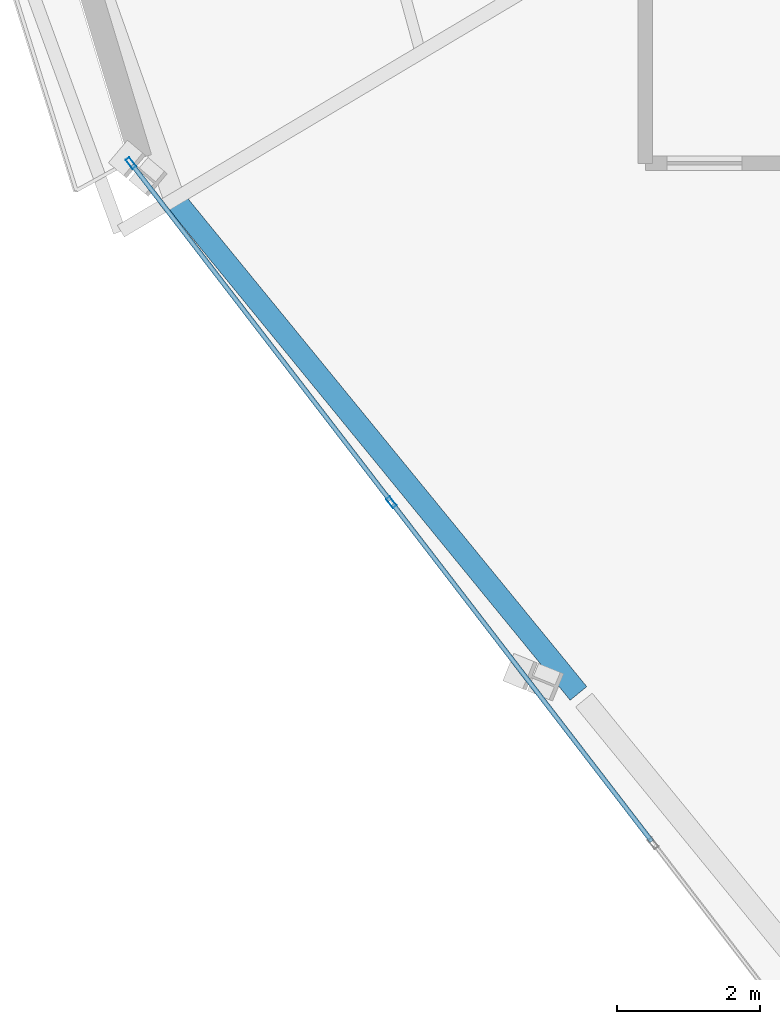
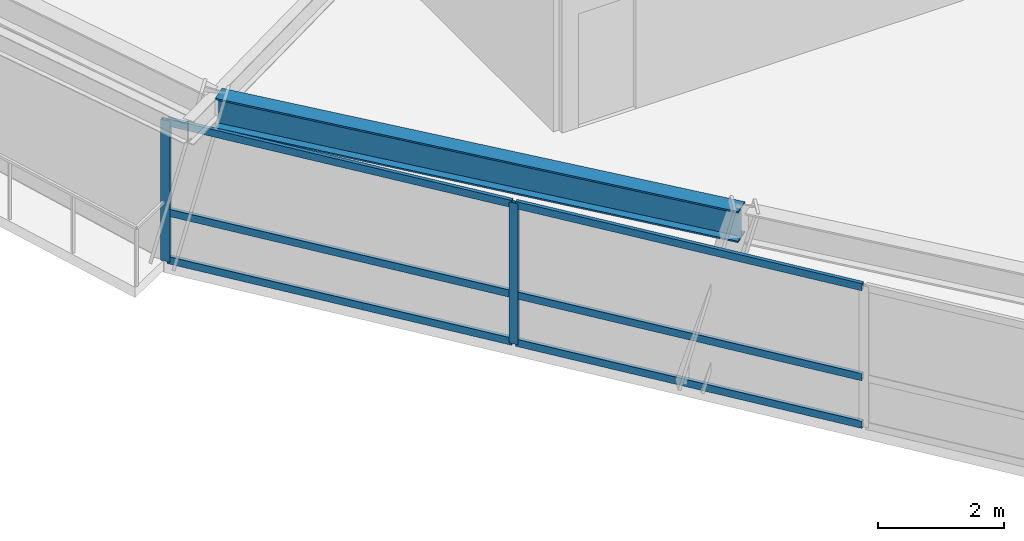
# One storey, part 3 of 15: 8 members, 1 beam, 1 element without a shape of its own.
"""IFC4 building model written with IfcOpenShell, lengths in metres."""

from ifc_helpers import new_model, si_unit, direction, frame, origin, origin_2d, place, context, subcontext, project, spatial, hollow_rectangle, i_section, extrude, source, transform, mapped, material, material_profile, profile_set, type_object, element, aggregate, save


model = new_model("IFC4")

# Units and contexts
model_context = context("Model", 3, precision=1e-05, world=origin(), true_north=direction((0.0, 1.0)))
body_context = subcontext(model_context, "Body", "Model", "MODEL_VIEW")
ifc_project = project(units=[si_unit("LENGTHUNIT", "METRE"), si_unit("AREAUNIT", "SQUARE_METRE"), si_unit("VOLUMEUNIT", "CUBIC_METRE"), si_unit("PLANEANGLEUNIT", "RADIAN"), si_unit("MASSUNIT", "GRAM", prefix="KILO")], contexts=[model_context])

# Site, building, storey
site_placement = place(None, origin())
site = spatial("IfcSite", under=ifc_project, at=site_placement, CompositionType="ELEMENT")
building_placement = place(site_placement, origin())
building = spatial("IfcBuilding", under=site, at=building_placement, Name="Olszyna Solenne Hotel", CompositionType="ELEMENT")
storey_placement = place(building_placement, frame((0.0, 0.0, 157.25)))
storey = spatial("IfcBuildingStorey", under=building, at=storey_placement, Name="L41", CompositionType="ELEMENT", Elevation=157.25)

# Beam
ifc_material_1 = material(Name="Steel S355J2", Category="steel")
ifc_material_profile_1 = material_profile(ifc_material_1, i_section(OverallWidth=0.300048828125, OverallDepth=0.60009765625, WebThickness=0.015380859375, FlangeThickness=0.030029296875, at=origin_2d()), Name="HEB 600", Category="load-bearing")
ifc_profile_set_1 = profile_set([ifc_material_profile_1], Name="Steel S355J2")
beam_type = type_object("IfcBeamType", Name="BM-S2", PredefinedType="BEAM", material=ifc_profile_set_1)
shared_shape_1 = source(origin(), body_context, "Body", "SweptSolid", [
    extrude(i_section(OverallWidth=0.300048828125, OverallDepth=0.60009765625, WebThickness=0.015380859375, FlangeThickness=0.030029296875, at=origin_2d()), origin(), (0.0, 0.0, 1.0), 8.843505859375),
])
beam_placement = place(storey_placement, frame((21.0712890625, 16.455078125, 3.030029296875), z_axis=(0.632861878311, -0.774264711181, 0.0), x_axis=(0.774264711181, 0.632861878311, 0.0)))
element("IfcBeam", 1, at=beam_placement, inside=storey, type_object=beam_type, Name="Perimeter spandrel beam BM-S2 B-L41-1222", PredefinedType="BEAM", context=body_context, shape_type="MappedRepresentation", body=[
    mapped(shared_shape_1, transform((0.0, 0.0, 0.0), x_axis=(1.0, 0.0, 0.0), y_axis=(0.0, 1.0, 0.0), z_axis=(0.0, 0.0, 1.0), scale=1.0)),
])

# Curtain wall, members
ifc_material_2 = material(Name="Anodised bronze aluminium", Category="aluminium")
curtain_wall_type = type_object("IfcCurtainWallType", Name="CW-SYS-4", PredefinedType="NOTDEFINED", material=ifc_material_2)
curtain_wall_placement = place(storey_placement, origin())
curtain_wall = element("IfcCurtainWall", 2, at=curtain_wall_placement, inside=storey, type_object=curtain_wall_type, Name="Unitised curtain wall CW-SYS-4 CW-L41-01", PredefinedType="NOTDEFINED")
ifc_material_profile_2 = material_profile(ifc_material_2, hollow_rectangle(XDim=0.06494140625, YDim=0.139892578125, WallThickness=0.00390625, at=origin_2d()), Name="TRAN 140x65x4", Category="load-bearing")
ifc_profile_set_2 = profile_set([ifc_material_profile_2], Name="Anodised bronze aluminium")
member_type_1 = type_object("IfcMemberType", Name="CW-T2", PredefinedType="USERDEFINED", material=ifc_profile_set_2)
shared_shape_2 = source(origin(), body_context, "Body", "SweptSolid", [
    extrude(hollow_rectangle(XDim=0.06494140625, YDim=0.139892578125, WallThickness=0.00390625, at=origin_2d()), origin(), (0.0, 0.0, 1.0), 5.897216796875),
])
member_1_placement = place(storey_placement, frame((20.44775390625, 16.976318359375, 0.032470703125), z_axis=(0.609036288709, -0.793142357358, 0.0), x_axis=(0.793142357358, 0.609036288709, 0.0)))
member_1 = element("IfcMember", 3, at=member_1_placement, type_object=member_type_1, Name="Curtain-wall transom CW-T2 CT-L41-01-01", ObjectType="TRANSOM", PredefinedType="USERDEFINED", context=body_context, shape_type="MappedRepresentation", body=[
    mapped(shared_shape_2, transform((0.0, 0.0, 0.0), x_axis=(1.0, 0.0, 0.0), y_axis=(0.0, 1.0, 0.0), z_axis=(0.0, 0.0, 1.0), scale=1.0)),
])
member_2_placement = place(storey_placement, frame((20.44775390625, 16.976318359375, 0.949951171875), z_axis=(0.609036288709, -0.793142357358, 0.0), x_axis=(0.793142357358, 0.609036288709, 0.0)))
member_2 = element("IfcMember", 4, at=member_2_placement, type_object=member_type_1, Name="Curtain-wall transom CW-T2 CT-L41-01-02", ObjectType="TRANSOM", PredefinedType="USERDEFINED", context=body_context, shape_type="MappedRepresentation", body=[
    mapped(shared_shape_2, transform((0.0, 0.0, 0.0), x_axis=(1.0, 0.0, 0.0), y_axis=(0.0, 1.0, 0.0), z_axis=(0.0, 0.0, 1.0), scale=1.0)),
])
member_3_placement = place(storey_placement, frame((20.44775390625, 16.976318359375, 2.689453125), z_axis=(0.609036288709, -0.793142357358, 0.0), x_axis=(0.793142357358, 0.609036288709, 0.0)))
member_3 = element("IfcMember", 5, at=member_3_placement, type_object=member_type_1, Name="Curtain-wall transom CW-T2 CT-L41-01-03", ObjectType="TRANSOM", PredefinedType="USERDEFINED", context=body_context, shape_type="MappedRepresentation", body=[
    mapped(shared_shape_2, transform((0.0, 0.0, 0.0), x_axis=(1.0, 0.0, 0.0), y_axis=(0.0, 1.0, 0.0), z_axis=(0.0, 0.0, 1.0), scale=1.0)),
])
ifc_material_profile_3 = material_profile(ifc_material_2, hollow_rectangle(XDim=0.06494140625, YDim=0.159912109375, WallThickness=0.00390625, at=origin_2d()), Name="MULL 160x65x4", Category="load-bearing")
ifc_profile_set_3 = profile_set([ifc_material_profile_3], Name="Anodised bronze aluminium")
member_type_2 = type_object("IfcMemberType", Name="CW-M3", PredefinedType="MULLION", material=ifc_profile_set_3)
shared_shape_3 = source(origin(), body_context, "Body", "SweptSolid", [
    extrude(hollow_rectangle(XDim=0.06494140625, YDim=0.159912109375, WallThickness=0.00390625, at=origin_2d()), origin(), (0.0, 0.0, 1.0), 2.721923828125),
])
member_4_placement = place(storey_placement, frame((20.427978515625, 17.002197265625, 0.0), z_axis=(0.0, 0.0, 1.0), x_axis=(0.793149974067, 0.609026369411, 0.0)))
member_4 = element("IfcMember", 6, at=member_4_placement, type_object=member_type_2, Name="Curtain-wall mullion CW-M3 CM-L41-01-01", PredefinedType="MULLION", context=body_context, shape_type="MappedRepresentation", body=[
    mapped(shared_shape_3, transform((0.0, 0.0, 0.0), x_axis=(1.0, 0.0, 0.0), y_axis=(0.0, 1.0, 0.0), z_axis=(0.0, 0.0, 1.0), scale=1.0)),
])
member_5_placement = place(storey_placement, frame((24.05908203125, 12.273193359375, 0.0), z_axis=(0.0, 0.0, 1.0), x_axis=(0.793149974067, 0.609026369411, 0.0)))
member_5 = element("IfcMember", 7, at=member_5_placement, type_object=member_type_2, Name="Curtain-wall mullion CW-M3 CM-L41-01-02", PredefinedType="MULLION", context=body_context, shape_type="MappedRepresentation", body=[
    mapped(shared_shape_3, transform((0.0, 0.0, 0.0), x_axis=(1.0, 0.0, 0.0), y_axis=(0.0, 1.0, 0.0), z_axis=(0.0, 0.0, 1.0), scale=1.0)),
])
shared_shape_4 = source(origin(), body_context, "Body", "SweptSolid", [
    extrude(hollow_rectangle(XDim=0.06494140625, YDim=0.139892578125, WallThickness=0.00390625, at=origin_2d()), origin(), (0.0, 0.0, 1.0), 5.9296875),
])
member_6_placement = place(storey_placement, frame((24.078857421875, 12.247314453125, 0.032470703125), z_axis=(0.60902605709, -0.793150213885, 0.0), x_axis=(0.793150213885, 0.60902605709, 0.0)))
member_6 = element("IfcMember", 8, at=member_6_placement, type_object=member_type_1, Name="Curtain-wall transom CW-T2 CT-L41-01-04", ObjectType="TRANSOM", PredefinedType="USERDEFINED", context=body_context, shape_type="MappedRepresentation", body=[
    mapped(shared_shape_4, transform((0.0, 0.0, 0.0), x_axis=(1.0, 0.0, 0.0), y_axis=(0.0, 1.0, 0.0), z_axis=(0.0, 0.0, 1.0), scale=1.0)),
])
member_7_placement = place(storey_placement, frame((24.078857421875, 12.247314453125, 0.949951171875), z_axis=(0.60902605709, -0.793150213885, 0.0), x_axis=(0.793150213885, 0.60902605709, 0.0)))
member_7 = element("IfcMember", 9, at=member_7_placement, type_object=member_type_1, Name="Curtain-wall transom CW-T2 CT-L41-01-05", ObjectType="TRANSOM", PredefinedType="USERDEFINED", context=body_context, shape_type="MappedRepresentation", body=[
    mapped(shared_shape_4, transform((0.0, 0.0, 0.0), x_axis=(1.0, 0.0, 0.0), y_axis=(0.0, 1.0, 0.0), z_axis=(0.0, 0.0, 1.0), scale=1.0)),
])
member_8_placement = place(storey_placement, frame((24.078857421875, 12.247314453125, 2.689453125), z_axis=(0.60902605709, -0.793150213885, 0.0), x_axis=(0.793150213885, 0.60902605709, 0.0)))
member_8 = element("IfcMember", 10, at=member_8_placement, type_object=member_type_1, Name="Curtain-wall transom CW-T2 CT-L41-01-06", ObjectType="TRANSOM", PredefinedType="USERDEFINED", context=body_context, shape_type="MappedRepresentation", body=[
    mapped(shared_shape_4, transform((0.0, 0.0, 0.0), x_axis=(1.0, 0.0, 0.0), y_axis=(0.0, 1.0, 0.0), z_axis=(0.0, 0.0, 1.0), scale=1.0)),
])
aggregate(curtain_wall, [member_4, member_5, member_1, member_2, member_3, member_6, member_7, member_8])

save(model, "model.ifc")
